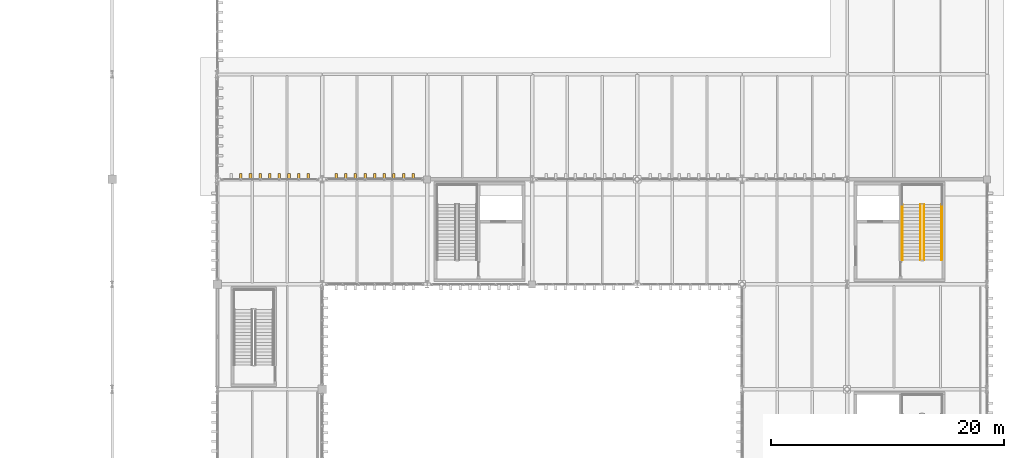
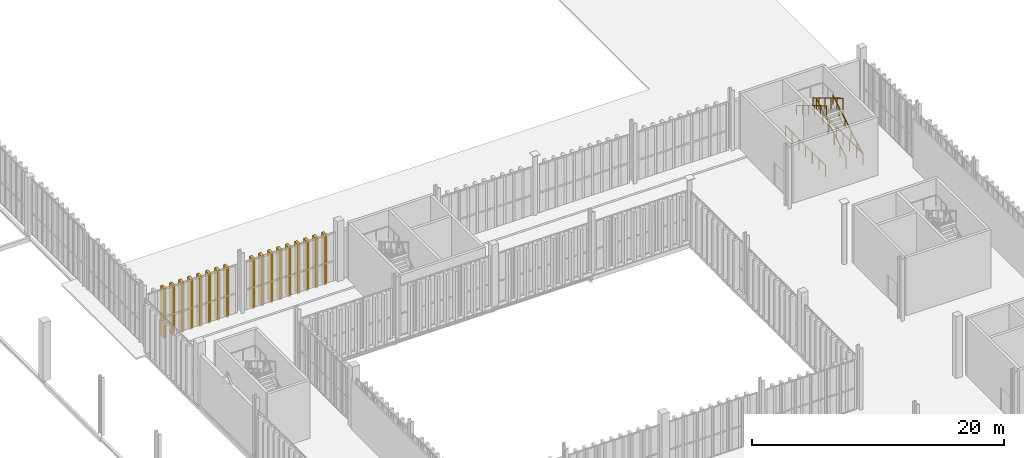
# One storey, part 231 of 237: 17 shading devices, 6 railings.
"""IFC4 building model written with IfcOpenShell, lengths in metres."""

from ifc_helpers import new_model, si_unit, direction, frame, origin, origin_2d, place, context, subcontext, project, spatial, rectangle, circle, extrude, material, type_object, element, save


model = new_model("IFC4")

# Units and contexts
model_context = context("Model", 3, precision=1e-05, world=origin(), true_north=direction((0.0, 1.0)))
body_context = subcontext(model_context, "Body", "Model", "MODEL_VIEW")
ifc_project = project(units=[si_unit("LENGTHUNIT", "METRE"), si_unit("AREAUNIT", "SQUARE_METRE"), si_unit("VOLUMEUNIT", "CUBIC_METRE"), si_unit("PLANEANGLEUNIT", "RADIAN"), si_unit("MASSUNIT", "GRAM", prefix="KILO")], contexts=[model_context])

# Site, building, storey
site_placement = place(None, origin())
site = spatial("IfcSite", under=ifc_project, at=site_placement, CompositionType="ELEMENT")
building_placement = place(site_placement, origin())
building = spatial("IfcBuilding", under=site, at=building_placement, Name="Barlavento Convention Centre", CompositionType="ELEMENT")
storey_placement = place(building_placement, frame((0.0, 0.0, 12.0)))
storey = spatial("IfcBuildingStorey", under=building, at=storey_placement, Name="L02", CompositionType="ELEMENT", Elevation=12.0)

# Railings
ifc_material_1 = material(Name="Stainless steel and laminated glass balustrade", Category="steel")
railing_type_1 = type_object("IfcRailingType", Name="ARC-RAL-BAL-1100", PredefinedType="BALUSTRADE", material=ifc_material_1)
railing_1_placement = place(storey_placement, frame((186.580078125, 92.090087890625, 0.166748046875)))
element("IfcRailing", 1, at=railing_1_placement, inside=storey, type_object=railing_type_1, Name="L02 ST08 stair guard 1", PredefinedType="BALUSTRADE", context=body_context, shape_type="SweptSolid", body=[
    extrude(circle(Radius=0.02392578125, at=origin_2d()), frame((0.0, 0.0, 1.076171875), z_axis=(0.0, 0.859299802514, 0.511472237174), x_axis=(-1.0, 0.0, 0.0)), (0.0, 0.0, 1.0), 5.539306640625),
    extrude(circle(Radius=0.02099609375, at=origin_2d()), origin(), (0.0, 0.0, 1.0), 1.052001953125),
    extrude(circle(Radius=0.02099609375, at=origin_2d()), frame((0.0, 0.951904296875, 0.566650390625)), (0.0, 0.0, 1.0), 1.052001953125),
    extrude(circle(Radius=0.02099609375, at=origin_2d()), frame((0.0, 1.904052734375, 1.13330078125)), (0.0, 0.0, 1.0), 1.052001953125),
    extrude(circle(Radius=0.02099609375, at=origin_2d()), frame((0.0, 2.85595703125, 1.699951171875)), (0.0, 0.0, 1.0), 1.052001953125),
    extrude(circle(Radius=0.02099609375, at=origin_2d()), frame((0.0, 3.80810546875, 2.2666015625)), (0.0, 0.0, 1.0), 1.052001953125),
    extrude(circle(Radius=0.02099609375, at=origin_2d()), frame((0.0, 4.760009765625, 2.833251953125)), (0.0, 0.0, 1.0), 1.052001953125),
])
railing_2_placement = place(storey_placement, frame((186.280029296875, 96.85009765625, 3.166748046875)))
element("IfcRailing", 2, at=railing_2_placement, inside=storey, type_object=railing_type_1, Name="L02 ST08 stair guard 3", PredefinedType="BALUSTRADE", context=body_context, shape_type="SweptSolid", body=[
    extrude(circle(Radius=0.02392578125, at=origin_2d()), frame((0.0, 0.0, 1.076171875), z_axis=(0.0, -0.859299802514, 0.511472237174), x_axis=(1.0, 0.0, 0.0)), (0.0, 0.0, 1.0), 5.539306640625),
    extrude(circle(Radius=0.02099609375, at=origin_2d()), origin(), (0.0, 0.0, 1.0), 1.052001953125),
    extrude(circle(Radius=0.02099609375, at=origin_2d()), frame((0.0, -0.951904296875, 0.566650390625)), (0.0, 0.0, 1.0), 1.052001953125),
    extrude(circle(Radius=0.02099609375, at=origin_2d()), frame((0.0, -1.904052734375, 1.13330078125)), (0.0, 0.0, 1.0), 1.052001953125),
    extrude(circle(Radius=0.02099609375, at=origin_2d()), frame((0.0, -2.85595703125, 1.699951171875)), (0.0, 0.0, 1.0), 1.052001953125),
    extrude(circle(Radius=0.02099609375, at=origin_2d()), frame((0.0, -3.80810546875, 2.2666015625)), (0.0, 0.0, 1.0), 1.052001953125),
    extrude(circle(Radius=0.02099609375, at=origin_2d()), frame((0.0, -4.760009765625, 2.833251953125)), (0.0, 0.0, 1.0), 1.052001953125),
])
railing_3_placement = place(storey_placement, frame((188.14990234375, 92.114990234375, 0.0)))
element("IfcRailing", 3, at=railing_3_placement, inside=storey, type_object=railing_type_1, Name="L02 stairwell perimeter guard GR01", PredefinedType="BALUSTRADE", context=body_context, shape_type="SweptSolid", body=[
    extrude(circle(Radius=0.02392578125, at=origin_2d()), frame((0.0, 0.0, 1.076171875), z_axis=(0.0, 1.0, 0.0), x_axis=(-1.0, 0.0, 0.0)), (0.0, 0.0, 1.0), 6.4150390625),
    extrude(circle(Radius=0.02099609375, at=origin_2d()), origin(), (0.0, 0.0, 1.0), 1.052001953125),
    extrude(circle(Radius=0.02099609375, at=origin_2d()), frame((0.0, 1.069091796875, 0.0)), (0.0, 0.0, 1.0), 1.052001953125),
    extrude(circle(Radius=0.02099609375, at=origin_2d()), frame((0.0, 2.138427734375, 0.0)), (0.0, 0.0, 1.0), 1.052001953125),
    extrude(circle(Radius=0.02099609375, at=origin_2d()), frame((0.0, 3.20751953125, 0.0)), (0.0, 0.0, 1.0), 1.052001953125),
    extrude(circle(Radius=0.02099609375, at=origin_2d()), frame((0.0, 4.276611328125, 0.0)), (0.0, 0.0, 1.0), 1.052001953125),
    extrude(circle(Radius=0.02099609375, at=origin_2d()), frame((0.0, 5.345947265625, 0.0)), (0.0, 0.0, 1.0), 1.052001953125),
    extrude(circle(Radius=0.02099609375, at=origin_2d()), frame((0.0, 6.4150390625, 0.0)), (0.0, 0.0, 1.0), 1.052001953125),
])
railing_4_placement = place(storey_placement, frame((184.7099609375, 98.530029296875, 0.0)))
element("IfcRailing", 4, at=railing_4_placement, inside=storey, type_object=railing_type_1, Name="L02 stairwell perimeter guard GR01", PredefinedType="BALUSTRADE", context=body_context, shape_type="SweptSolid", body=[
    extrude(circle(Radius=0.02392578125, at=origin_2d()), frame((0.0, 0.0, 1.076171875), z_axis=(0.0, -1.0, 0.0), x_axis=(1.0, 0.0, 0.0)), (0.0, 0.0, 1.0), 6.4150390625),
    extrude(circle(Radius=0.02099609375, at=origin_2d()), origin(), (0.0, 0.0, 1.0), 1.052001953125),
    extrude(circle(Radius=0.02099609375, at=origin_2d()), frame((0.0, -1.069091796875, 0.0)), (0.0, 0.0, 1.0), 1.052001953125),
    extrude(circle(Radius=0.02099609375, at=origin_2d()), frame((0.0, -2.138427734375, 0.0)), (0.0, 0.0, 1.0), 1.052001953125),
    extrude(circle(Radius=0.02099609375, at=origin_2d()), frame((0.0, -3.20751953125, 0.0)), (0.0, 0.0, 1.0), 1.052001953125),
    extrude(circle(Radius=0.02099609375, at=origin_2d()), frame((0.0, -4.276611328125, 0.0)), (0.0, 0.0, 1.0), 1.052001953125),
    extrude(circle(Radius=0.02099609375, at=origin_2d()), frame((0.0, -5.345947265625, 0.0)), (0.0, 0.0, 1.0), 1.052001953125),
    extrude(circle(Radius=0.02099609375, at=origin_2d()), frame((0.0, -6.4150390625, 0.0)), (0.0, 0.0, 1.0), 1.052001953125),
])
ifc_material_2 = material(Name="Brushed stainless steel tubular handrail", Category="steel")
railing_type_2 = type_object("IfcRailingType", Name="ARC-RAL-HR-900", PredefinedType="HANDRAIL", material=ifc_material_2)
railing_5_placement = place(storey_placement, frame((188.10009765625, 92.090087890625, 0.166748046875)))
element("IfcRailing", 5, at=railing_5_placement, inside=storey, type_object=railing_type_2, Name="L02 ST08 stair handrail 1", PredefinedType="HANDRAIL", context=body_context, shape_type="SweptSolid", body=[
    extrude(circle(Radius=0.02392578125, at=origin_2d()), frame((0.0, 0.0, 0.8759765625), z_axis=(0.0, 0.859299802514, 0.511472237174), x_axis=(-1.0, 0.0, 0.0)), (0.0, 0.0, 1.0), 5.539306640625),
    extrude(circle(Radius=0.02099609375, at=origin_2d()), origin(), (0.0, 0.0, 1.0), 0.851806640625),
    extrude(circle(Radius=0.02099609375, at=origin_2d()), frame((0.0, 0.951904296875, 0.566650390625)), (0.0, 0.0, 1.0), 0.851806640625),
    extrude(circle(Radius=0.02099609375, at=origin_2d()), frame((0.0, 1.904052734375, 1.13330078125)), (0.0, 0.0, 1.0), 0.851806640625),
    extrude(circle(Radius=0.02099609375, at=origin_2d()), frame((0.0, 2.85595703125, 1.699951171875)), (0.0, 0.0, 1.0), 0.851806640625),
    extrude(circle(Radius=0.02099609375, at=origin_2d()), frame((0.0, 3.80810546875, 2.2666015625)), (0.0, 0.0, 1.0), 0.851806640625),
    extrude(circle(Radius=0.02099609375, at=origin_2d()), frame((0.0, 4.760009765625, 2.833251953125)), (0.0, 0.0, 1.0), 0.851806640625),
])
railing_6_placement = place(storey_placement, frame((184.760009765625, 96.85009765625, 3.166748046875)))
element("IfcRailing", 6, at=railing_6_placement, inside=storey, type_object=railing_type_2, Name="L02 ST08 stair handrail 2", PredefinedType="HANDRAIL", context=body_context, shape_type="SweptSolid", body=[
    extrude(circle(Radius=0.02392578125, at=origin_2d()), frame((0.0, 0.0, 0.8759765625), z_axis=(0.0, -0.859299802514, 0.511472237174), x_axis=(1.0, 0.0, 0.0)), (0.0, 0.0, 1.0), 5.539306640625),
    extrude(circle(Radius=0.02099609375, at=origin_2d()), origin(), (0.0, 0.0, 1.0), 0.851806640625),
    extrude(circle(Radius=0.02099609375, at=origin_2d()), frame((0.0, -0.951904296875, 0.566650390625)), (0.0, 0.0, 1.0), 0.851806640625),
    extrude(circle(Radius=0.02099609375, at=origin_2d()), frame((0.0, -1.904052734375, 1.13330078125)), (0.0, 0.0, 1.0), 0.851806640625),
    extrude(circle(Radius=0.02099609375, at=origin_2d()), frame((0.0, -2.85595703125, 1.699951171875)), (0.0, 0.0, 1.0), 0.851806640625),
    extrude(circle(Radius=0.02099609375, at=origin_2d()), frame((0.0, -3.80810546875, 2.2666015625)), (0.0, 0.0, 1.0), 0.851806640625),
    extrude(circle(Radius=0.02099609375, at=origin_2d()), frame((0.0, -4.760009765625, 2.833251953125)), (0.0, 0.0, 1.0), 0.851806640625),
])

# Shading devices
ifc_material_3 = material(Name="PVDF white extruded aluminium", Category="aluminium")
shading_device_type = type_object("IfcShadingDeviceType", Name="ARC-SHD-FIN-480", PredefinedType="USERDEFINED", material=ifc_material_3)
for number, where, z_axis, x_axis, name in (
    (7, (128.030029296875, 99.239990234375, 0.0), (0.0, 0.0, 1.0), (1.0, 0.0, 0.0), "White vertical solar shading fin VF01"),
    (8, (128.85498046875, 99.239990234375, 0.0), (0.0, 0.0, 1.0), (1.0, 0.0, 0.0), "White vertical solar shading fin VF01"),
    (9, (129.679931640625, 99.239990234375, 0.0), (0.0, 0.0, 1.0), (1.0, 0.0, 0.0), "White vertical solar shading fin VF01"),
    (10, (130.5048828125, 99.239990234375, 0.0), (0.0, 0.0, 1.0), (1.0, 0.0, 0.0), "White vertical solar shading fin VF01"),
    (11, (131.330078125, 99.239990234375, 0.0), (0.0, 0.0, 1.0), (1.0, 0.0, 0.0), "White vertical solar shading fin VF01"),
    (12, (132.155029296875, 99.239990234375, 0.0), (0.0, 0.0, 1.0), (1.0, 0.0, 0.0), "White vertical solar shading fin VF01"),
    (13, (132.97998046875, 99.239990234375, 0.0), (0.0, 0.0, 1.0), (1.0, 0.0, 0.0), "White vertical solar shading fin VF01"),
    (14, (133.804931640625, 99.239990234375, 0.0), (0.0, 0.0, 1.0), (1.0, 0.0, 0.0), "White vertical solar shading fin VF01"),
    (15, (136.196044921875, 99.239990234375, 0.0), (0.0, 0.0, 1.0), (1.0, 0.0, 0.0), "White vertical solar shading fin VF01"),
    (16, (137.02197265625, 99.239990234375, 0.0), (0.0, 0.0, 1.0), (1.0, 0.0, 0.0), "White vertical solar shading fin VF01"),
    (17, (137.847900390625, 99.239990234375, 0.0), (0.0, 0.0, 1.0), (1.0, 0.0, 0.0), "White vertical solar shading fin VF01"),
    (18, (138.674072265625, 99.239990234375, 0.0), (0.0, 0.0, 1.0), (1.0, 0.0, 0.0), "White vertical solar shading fin VF01"),
    (19, (139.5, 99.239990234375, 0.0), (0.0, 0.0, 1.0), (1.0, 0.0, 0.0), "White vertical solar shading fin VF01"),
    (20, (140.325927734375, 99.239990234375, 0.0), (0.0, 0.0, 1.0), (1.0, 0.0, 0.0), "White vertical solar shading fin VF01"),
    (21, (141.152099609375, 99.239990234375, 0.0), (0.0, 0.0, 1.0), (1.0, 0.0, 0.0), "White vertical solar shading fin VF01"),
    (22, (141.97802734375, 99.239990234375, 0.0), (0.0, 0.0, 1.0), (1.0, 0.0, 0.0), "White vertical solar shading fin VF01"),
    (23, (142.803955078125, 99.239990234375, 0.0), (0.0, 0.0, 1.0), (1.0, 0.0, 0.0), "White vertical solar shading fin VF01"),
):
    element("IfcShadingDevice", number, at=place(storey_placement, frame(where, z_axis=z_axis, x_axis=x_axis)), inside=storey, type_object=shading_device_type, Name=name, ObjectType="FIN", PredefinedType="USERDEFINED", context=body_context, shape_type="SweptSolid", body=[
        extrude(rectangle(XDim=0.219970703125, YDim=0.52001953125, at=origin_2d()), origin(), (0.0, 0.0, 1.0), 4.85009765625),
    ])

save(model, "model.ifc")
